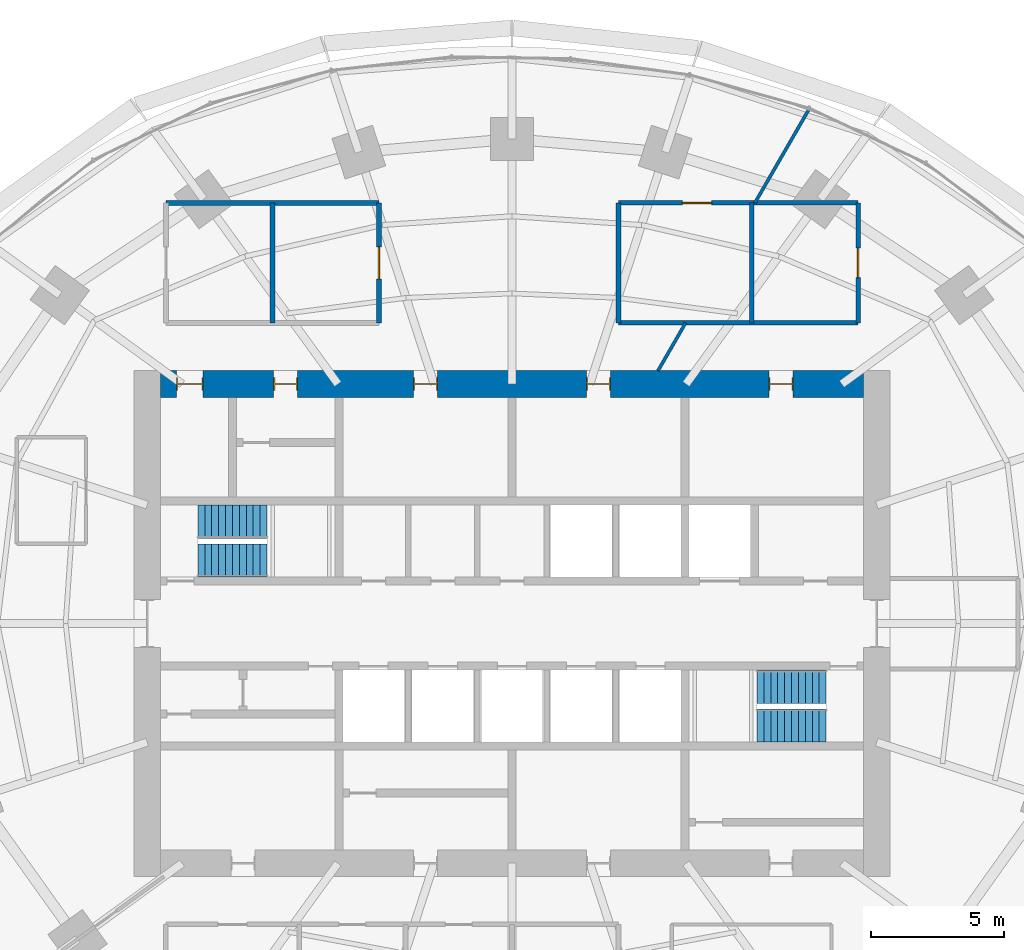
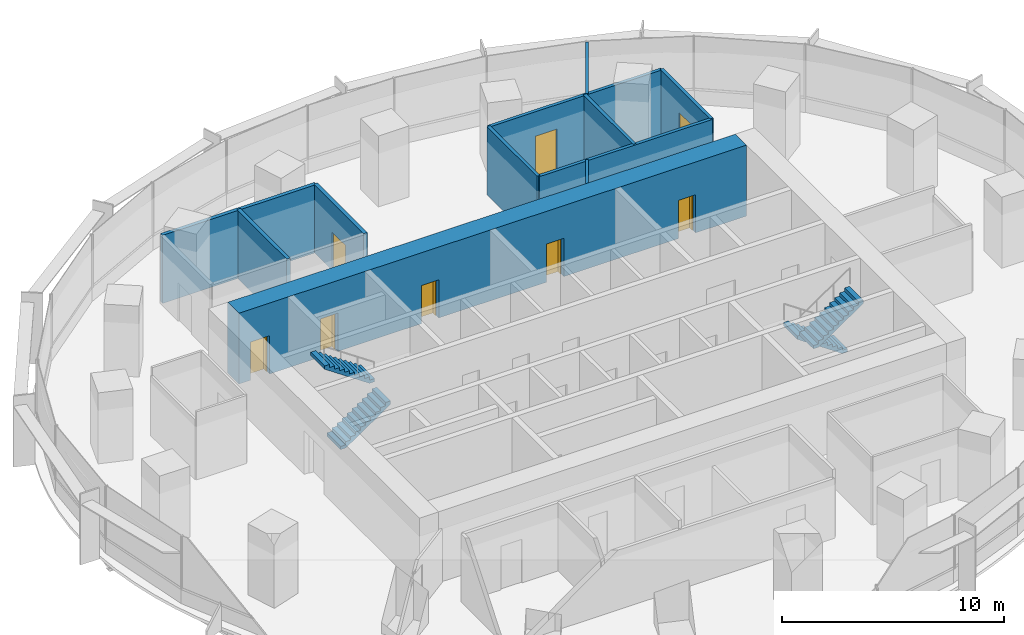
# One storey, part 12 of 14: 11 walls, 8 doors, 4 stair flights, 8 openings, 2 elements without a shape of their own.
"""IFC4 building model written with IfcOpenShell, lengths in metres."""

from ifc_helpers import new_model, si_unit, direction, frame, frame_2d, origin, place, context, subcontext, project, spatial, polyline, rectangle, outline, extrude, material, layer, layer_set, type_object, element, fill, aggregate, save


model = new_model("IFC4")

# Units and contexts
model_context = context("Model", 3, precision=1e-05, world=origin(), true_north=direction((0.0, 1.0)))
body_context = subcontext(model_context, "Body", "Model", "MODEL_VIEW")
ifc_project = project(units=[si_unit("LENGTHUNIT", "METRE"), si_unit("AREAUNIT", "SQUARE_METRE"), si_unit("VOLUMEUNIT", "CUBIC_METRE"), si_unit("PLANEANGLEUNIT", "RADIAN"), si_unit("MASSUNIT", "GRAM", prefix="KILO")], contexts=[model_context])

# Site, building, storey
site_placement = place(None, origin())
site = spatial("IfcSite", under=ifc_project, at=site_placement, CompositionType="ELEMENT")
building_placement = place(site_placement, origin())
building = spatial("IfcBuilding", under=site, at=building_placement, Name="Marramba Exchange Tower", CompositionType="ELEMENT")
storey_placement = place(building_placement, frame((0.0, 0.0, 143.10009765625)))
storey = spatial("IfcBuildingStorey", under=building, at=storey_placement, Name="L34", CompositionType="ELEMENT", Elevation=143.10009765625)

# Wall, opening, door
ifc_material_1 = material(Name="Plasterboard on staggered double steel studs, acoustic insulation", Category="steel")
ifc_layer_1 = layer(ifc_material_1, 0.169921875)
ifc_layer_set_1 = layer_set([ifc_layer_1], Name="Acoustic partition 170")
wall_type_1 = type_object("IfcWallType", Name="Acoustic partition 170", PredefinedType="PARTITIONING", material=ifc_layer_set_1)
wall_1_placement = place(storey_placement, frame((13.0, 11.300048828125, 0.0), z_axis=(0.0, 0.0, 1.0), x_axis=(0.0, 1.0, 0.0)))
wall_1 = element("IfcWall", 1, at=wall_1_placement, inside=storey, type_object=wall_type_1, Name="Acoustic partition L34 16", PredefinedType="PARTITIONING", context=body_context, shape_type="SweptSolid", body=[
    extrude(rectangle(XDim=4.5, YDim=0.169921875, at=frame_2d((2.25, 0.0))), origin(), (0.0, 0.0, 1.0), 3.739990234375),
])
opening_1_placement = place(wall_1_placement, frame((1.699951171875, 0.0, 0.0)))
opening_1 = element("IfcOpeningElement", 2, at=opening_1_placement, cuts=wall_1, Name="Opening D15", PredefinedType="OPENING", context=body_context, shape_type="SweptSolid", body=[
    extrude(rectangle(XDim=1.10009765625, YDim=2.39990234375, at=frame_2d((0.550048828125, 1.199951171875))), frame((0.0, 0.094970703125, 0.0), z_axis=(0.0, -1.0, 0.0), x_axis=(1.0, 0.0, 0.0)), (0.0, 0.0, 1.0), 0.18994140625),
])
ifc_material_2 = material(Name="Timber door", Category="wood")
door_type_1 = type_object("IfcDoorType", Name="Glazed meeting room door 1100x2400", OperationType="SINGLE_SWING_LEFT", PredefinedType="DOOR", material=ifc_material_2)
door_1_placement = place(opening_1_placement, origin())
door_1 = element("IfcDoor", 3, at=door_1_placement, inside=storey, type_object=door_type_1, Name="D15 Meeting Room 2 L34", OperationType="SINGLE_SWING_RIGHT", OverallHeight=2.39990234375, OverallWidth=1.10009765625, PredefinedType="DOOR", context=body_context, shape_type="SweptSolid", body=[
    extrude(rectangle(XDim=1.10009765625, YDim=2.39990234375, at=frame_2d((0.550048828125, 1.199951171875))), frame((0.0, 0.02490234375, 0.0), z_axis=(0.0, -1.0, 0.0), x_axis=(1.0, 0.0, 0.0)), (0.0, 0.0, 1.0), 0.050048828125),
])
fill(opening_1, door_1)

# Walls
wall_2_placement = place(storey_placement, frame((4.0, 11.300048828125, 0.0), z_axis=(0.0, 0.0, 1.0), x_axis=(1.0, 0.0, 0.0)))
element("IfcWall", 4, at=wall_2_placement, inside=storey, type_object=wall_type_1, Name="Acoustic partition L34 17", PredefinedType="PARTITIONING", context=body_context, shape_type="SweptSolid", body=[
    extrude(rectangle(XDim=9.0, YDim=0.169921875, at=frame_2d((4.5, 0.0))), origin(), (0.0, 0.0, 1.0), 3.739990234375),
])
wall_3_placement = place(storey_placement, frame((9.0, 15.800048828125, 0.0), z_axis=(0.0, 0.0, 1.0), x_axis=(0.0, -1.0, 0.0)))
element("IfcWall", 5, at=wall_3_placement, inside=storey, type_object=wall_type_1, Name="Acoustic partition L34 18", PredefinedType="PARTITIONING", context=body_context, shape_type="SweptSolid", body=[
    extrude(rectangle(XDim=4.5, YDim=0.169921875, at=frame_2d((2.25, 0.0))), origin(), (0.0, 0.0, 1.0), 3.739990234375),
])

# Wall, opening, door
wall_4_placement = place(storey_placement, frame((13.0, 15.800048828125, 0.0), z_axis=(0.0, 0.0, 1.0), x_axis=(-1.0, 0.0, 0.0)))
wall_4 = element("IfcWall", 6, at=wall_4_placement, inside=storey, type_object=wall_type_1, Name="Acoustic partition L34 21", PredefinedType="PARTITIONING", context=body_context, shape_type="SweptSolid", body=[
    extrude(rectangle(XDim=9.0, YDim=0.169921875, at=frame_2d((4.5, 0.0))), origin(), (0.0, 0.0, 1.0), 3.739990234375),
])
opening_2_placement = place(wall_4_placement, frame((5.5, 0.0, 0.0)))
opening_2 = element("IfcOpeningElement", 7, at=opening_2_placement, cuts=wall_4, Name="Opening D15", PredefinedType="OPENING", context=body_context, shape_type="SweptSolid", body=[
    extrude(rectangle(XDim=1.10009765625, YDim=2.39990234375, at=frame_2d((0.550048828125, 1.199951171875))), frame((0.0, 0.094970703125, 0.0), z_axis=(0.0, -1.0, 0.0), x_axis=(1.0, 0.0, 0.0)), (0.0, 0.0, 1.0), 0.18994140625),
])
door_2_placement = place(opening_2_placement, origin())
door_2 = element("IfcDoor", 8, at=door_2_placement, inside=storey, type_object=door_type_1, Name="D15 Meeting Room 1 L34", OperationType="SINGLE_SWING_LEFT", OverallHeight=2.39990234375, OverallWidth=1.10009765625, PredefinedType="DOOR", context=body_context, shape_type="SweptSolid", body=[
    extrude(rectangle(XDim=1.10009765625, YDim=2.39990234375, at=frame_2d((0.550048828125, 1.199951171875))), frame((0.0, 0.02490234375, 0.0), z_axis=(0.0, -1.0, 0.0), x_axis=(1.0, 0.0, 0.0)), (0.0, 0.0, 1.0), 0.050048828125),
])
fill(opening_2, door_2)

# Wall
wall_5_placement = place(storey_placement, frame((4.0, 15.800048828125, 0.0), z_axis=(0.0, 0.0, 1.0), x_axis=(0.0, -1.0, 0.0)))
element("IfcWall", 9, at=wall_5_placement, inside=storey, type_object=wall_type_1, Name="Acoustic partition L34 22", PredefinedType="PARTITIONING", context=body_context, shape_type="SweptSolid", body=[
    extrude(rectangle(XDim=4.5, YDim=0.169921875, at=frame_2d((2.25, 0.0))), origin(), (0.0, 0.0, 1.0), 3.739990234375),
])

# Wall, openings, doors
ifc_material_3 = material(Name="Concrete N50", Category="concrete")
ifc_layer_2 = layer(ifc_material_3, 1.0)
ifc_layer_set_2 = layer_set([ifc_layer_2], Name="Core wall 1000")
wall_type_2 = type_object("IfcWallType", Name="Core wall 1000", PredefinedType="SHEAR", material=ifc_layer_set_2)
wall_6_placement = place(storey_placement, frame((13.199951171875, 9.0, 0.0), z_axis=(0.0, 0.0, 1.0), x_axis=(-1.0, 0.0, 0.0)))
wall_6 = element("IfcWall", 10, at=wall_6_placement, inside=storey, type_object=wall_type_2, Name="Core wall N L34", PredefinedType="SHEAR", context=body_context, shape_type="SweptSolid", body=[
    extrude(rectangle(XDim=26.39990234375, YDim=1.0, at=frame_2d((13.199951171875, 0.0))), origin(), (0.0, 0.0, 1.0), 3.89990234375),
])
opening_3_placement = place(wall_6_placement, frame((2.64990234375, 0.0, 0.0)))
opening_3 = element("IfcOpeningElement", 11, at=opening_3_placement, cuts=wall_6, Name="Opening D5", PredefinedType="OPENING", context=body_context, shape_type="SweptSolid", body=[
    extrude(rectangle(XDim=0.89990234375, YDim=2.10009765625, at=frame_2d((0.449951171875, 1.050048828125))), frame((0.0, 0.510009765625, 0.0), z_axis=(0.0, -1.0, 0.0), x_axis=(1.0, 0.0, 0.0)), (0.0, 0.0, 1.0), 1.02001953125),
])
opening_4_placement = place(wall_6_placement, frame((9.5, 0.0, 0.0)))
opening_4 = element("IfcOpeningElement", 12, at=opening_4_placement, cuts=wall_6, Name="Opening D3", PredefinedType="OPENING", context=body_context, shape_type="SweptSolid", body=[
    extrude(rectangle(XDim=0.89990234375, YDim=2.10009765625, at=frame_2d((0.449951171875, 1.050048828125))), frame((0.0, 0.510009765625, 0.0), z_axis=(0.0, -1.0, 0.0), x_axis=(1.0, 0.0, 0.0)), (0.0, 0.0, 1.0), 1.02001953125),
])
opening_5_placement = place(wall_6_placement, frame((16.0, 0.0, 0.0)))
opening_5 = element("IfcOpeningElement", 13, at=opening_5_placement, cuts=wall_6, Name="Opening D3", PredefinedType="OPENING", context=body_context, shape_type="SweptSolid", body=[
    extrude(rectangle(XDim=0.89990234375, YDim=2.10009765625, at=frame_2d((0.449951171875, 1.050048828125))), frame((0.0, 0.510009765625, 0.0), z_axis=(0.0, -1.0, 0.0), x_axis=(1.0, 0.0, 0.0)), (0.0, 0.0, 1.0), 1.02001953125),
])
opening_6_placement = place(wall_6_placement, frame((21.25, 0.0, 0.0)))
opening_6 = element("IfcOpeningElement", 14, at=opening_6_placement, cuts=wall_6, Name="Opening D5", PredefinedType="OPENING", context=body_context, shape_type="SweptSolid", body=[
    extrude(rectangle(XDim=0.89990234375, YDim=2.10009765625, at=frame_2d((0.449951171875, 1.050048828125))), frame((0.0, 0.510009765625, 0.0), z_axis=(0.0, -1.0, 0.0), x_axis=(1.0, 0.0, 0.0)), (0.0, 0.0, 1.0), 1.02001953125),
])
opening_7_placement = place(wall_6_placement, frame((24.800048828125, 0.0, 0.0)))
opening_7 = element("IfcOpeningElement", 15, at=opening_7_placement, cuts=wall_6, Name="Opening D4", PredefinedType="OPENING", context=body_context, shape_type="SweptSolid", body=[
    extrude(rectangle(XDim=1.0, YDim=2.10009765625, at=frame_2d((0.5, 1.050048828125))), frame((0.0, 0.510009765625, 0.0), z_axis=(0.0, -1.0, 0.0), x_axis=(1.0, 0.0, 0.0)), (0.0, 0.0, 1.0), 1.02001953125),
])
ifc_material_4 = material(Name="Steel-framed door", Category="steel")
door_type_2 = type_object("IfcDoorType", Name="Accessible toilet door 1000x2100", OperationType="SINGLE_SWING_LEFT", PredefinedType="DOOR", material=ifc_material_4)
door_3_placement = place(opening_7_placement, origin())
door_3 = element("IfcDoor", 16, at=door_3_placement, inside=storey, type_object=door_type_2, Name="D4 awc L34", OperationType="SINGLE_SWING_RIGHT", OverallHeight=2.10009765625, OverallWidth=1.0, PredefinedType="DOOR", context=body_context, shape_type="SweptSolid", body=[
    extrude(rectangle(XDim=0.919921875, YDim=2.06005859375, at=frame_2d((0.5, 1.030029296875))), frame((0.0, 0.02490234375, 0.0), z_axis=(0.0, -1.0, 0.0), x_axis=(1.0, 0.0, 0.0)), (0.0, 0.0, 1.0), 0.050048828125),
    extrude(rectangle(XDim=0.04, YDim=2.10009765625, at=frame_2d((0.02001953125, 1.050048828125))), frame((0.0, 0.25, 0.0), z_axis=(0.0, -1.0, 0.0), x_axis=(1.0, 0.0, 0.0)), (0.0, 0.0, 1.0), 0.5),
    extrude(rectangle(XDim=0.04, YDim=2.10009765625, at=frame_2d((0.97998046875, 1.050048828125))), frame((0.0, 0.25, 0.0), z_axis=(0.0, -1.0, 0.0), x_axis=(1.0, 0.0, 0.0)), (0.0, 0.0, 1.0), 0.5),
    extrude(rectangle(XDim=0.919921875, YDim=0.04, at=frame_2d((0.5, 2.080078125))), frame((0.0, 0.25, 0.0), z_axis=(0.0, -1.0, 0.0), x_axis=(1.0, 0.0, 0.0)), (0.0, 0.0, 1.0), 0.5),
])
fill(opening_7, door_3)
door_type_3 = type_object("IfcDoorType", Name="Service door 900x2100", OperationType="SINGLE_SWING_LEFT", PredefinedType="DOOR", material=ifc_material_4)
door_4_placement = place(opening_3_placement, origin())
door_4 = element("IfcDoor", 17, at=door_4_placement, inside=storey, type_object=door_type_3, Name="D5 comms L34", OperationType="SINGLE_SWING_LEFT", OverallHeight=2.10009765625, OverallWidth=0.89990234375, PredefinedType="DOOR", context=body_context, shape_type="SweptSolid", body=[
    extrude(rectangle(XDim=0.81982421875, YDim=2.06005859375, at=frame_2d((0.449951171875, 1.030029296875))), frame((0.0, 0.02490234375, 0.0), z_axis=(0.0, -1.0, 0.0), x_axis=(1.0, 0.0, 0.0)), (0.0, 0.0, 1.0), 0.050048828125),
    extrude(rectangle(XDim=0.04, YDim=2.10009765625, at=frame_2d((0.02001953125, 1.050048828125))), frame((0.0, 0.25, 0.0), z_axis=(0.0, -1.0, 0.0), x_axis=(1.0, 0.0, 0.0)), (0.0, 0.0, 1.0), 0.5),
    extrude(rectangle(XDim=0.04, YDim=2.10009765625, at=frame_2d((0.8798828125, 1.050048828125))), frame((0.0, 0.25, 0.0), z_axis=(0.0, -1.0, 0.0), x_axis=(1.0, 0.0, 0.0)), (0.0, 0.0, 1.0), 0.5),
    extrude(rectangle(XDim=0.81982421875, YDim=0.04, at=frame_2d((0.449951171875, 2.080078125))), frame((0.0, 0.25, 0.0), z_axis=(0.0, -1.0, 0.0), x_axis=(1.0, 0.0, 0.0)), (0.0, 0.0, 1.0), 0.5),
])
fill(opening_3, door_4)
door_5_placement = place(opening_6_placement, origin())
door_5 = element("IfcDoor", 18, at=door_5_placement, inside=storey, type_object=door_type_3, Name="D5 cleaner L34", OperationType="SINGLE_SWING_RIGHT", OverallHeight=2.10009765625, OverallWidth=0.89990234375, PredefinedType="DOOR", context=body_context, shape_type="SweptSolid", body=[
    extrude(rectangle(XDim=0.81982421875, YDim=2.06005859375, at=frame_2d((0.449951171875, 1.030029296875))), frame((0.0, 0.02490234375, 0.0), z_axis=(0.0, -1.0, 0.0), x_axis=(1.0, 0.0, 0.0)), (0.0, 0.0, 1.0), 0.050048828125),
    extrude(rectangle(XDim=0.04, YDim=2.10009765625, at=frame_2d((0.02001953125, 1.050048828125))), frame((0.0, 0.25, 0.0), z_axis=(0.0, -1.0, 0.0), x_axis=(1.0, 0.0, 0.0)), (0.0, 0.0, 1.0), 0.5),
    extrude(rectangle(XDim=0.04, YDim=2.10009765625, at=frame_2d((0.8798828125, 1.050048828125))), frame((0.0, 0.25, 0.0), z_axis=(0.0, -1.0, 0.0), x_axis=(1.0, 0.0, 0.0)), (0.0, 0.0, 1.0), 0.5),
    extrude(rectangle(XDim=0.81982421875, YDim=0.04, at=frame_2d((0.449951171875, 2.080078125))), frame((0.0, 0.25, 0.0), z_axis=(0.0, -1.0, 0.0), x_axis=(1.0, 0.0, 0.0)), (0.0, 0.0, 1.0), 0.5),
])
fill(opening_6, door_5)
door_type_4 = type_object("IfcDoorType", Name="Toilet door 900x2100", OperationType="SINGLE_SWING_LEFT", PredefinedType="DOOR", material=ifc_material_4)
door_6_placement = place(opening_4_placement, origin())
door_6 = element("IfcDoor", 19, at=door_6_placement, inside=storey, type_object=door_type_4, Name="D3 wc-f L34", OperationType="SINGLE_SWING_RIGHT", OverallHeight=2.10009765625, OverallWidth=0.89990234375, PredefinedType="DOOR", context=body_context, shape_type="SweptSolid", body=[
    extrude(rectangle(XDim=0.81982421875, YDim=2.06005859375, at=frame_2d((0.449951171875, 1.030029296875))), frame((0.0, 0.02490234375, 0.0), z_axis=(0.0, -1.0, 0.0), x_axis=(1.0, 0.0, 0.0)), (0.0, 0.0, 1.0), 0.050048828125),
    extrude(rectangle(XDim=0.04, YDim=2.10009765625, at=frame_2d((0.02001953125, 1.050048828125))), frame((0.0, 0.25, 0.0), z_axis=(0.0, -1.0, 0.0), x_axis=(1.0, 0.0, 0.0)), (0.0, 0.0, 1.0), 0.5),
    extrude(rectangle(XDim=0.04, YDim=2.10009765625, at=frame_2d((0.8798828125, 1.050048828125))), frame((0.0, 0.25, 0.0), z_axis=(0.0, -1.0, 0.0), x_axis=(1.0, 0.0, 0.0)), (0.0, 0.0, 1.0), 0.5),
    extrude(rectangle(XDim=0.81982421875, YDim=0.04, at=frame_2d((0.449951171875, 2.080078125))), frame((0.0, 0.25, 0.0), z_axis=(0.0, -1.0, 0.0), x_axis=(1.0, 0.0, 0.0)), (0.0, 0.0, 1.0), 0.5),
])
fill(opening_4, door_6)
door_7_placement = place(opening_5_placement, origin())
door_7 = element("IfcDoor", 20, at=door_7_placement, inside=storey, type_object=door_type_4, Name="D3 wc-m L34", OperationType="SINGLE_SWING_RIGHT", OverallHeight=2.10009765625, OverallWidth=0.89990234375, PredefinedType="DOOR", context=body_context, shape_type="SweptSolid", body=[
    extrude(rectangle(XDim=0.81982421875, YDim=2.06005859375, at=frame_2d((0.449951171875, 1.030029296875))), frame((0.0, 0.02490234375, 0.0), z_axis=(0.0, -1.0, 0.0), x_axis=(1.0, 0.0, 0.0)), (0.0, 0.0, 1.0), 0.050048828125),
    extrude(rectangle(XDim=0.04, YDim=2.10009765625, at=frame_2d((0.02001953125, 1.050048828125))), frame((0.0, 0.25, 0.0), z_axis=(0.0, -1.0, 0.0), x_axis=(1.0, 0.0, 0.0)), (0.0, 0.0, 1.0), 0.5),
    extrude(rectangle(XDim=0.04, YDim=2.10009765625, at=frame_2d((0.8798828125, 1.050048828125))), frame((0.0, 0.25, 0.0), z_axis=(0.0, -1.0, 0.0), x_axis=(1.0, 0.0, 0.0)), (0.0, 0.0, 1.0), 0.5),
    extrude(rectangle(XDim=0.81982421875, YDim=0.04, at=frame_2d((0.449951171875, 2.080078125))), frame((0.0, 0.25, 0.0), z_axis=(0.0, -1.0, 0.0), x_axis=(1.0, 0.0, 0.0)), (0.0, 0.0, 1.0), 0.5),
])
fill(opening_5, door_7)

# Wall, opening, door
ifc_material_5 = material(Name="Core-filled concrete blockwork, rendered", Category="masonry")
ifc_layer_3 = layer(ifc_material_5, 0.18994140625)
ifc_layer_set_3 = layer_set([ifc_layer_3], Name="Equipment room wall 190")
wall_type_3 = type_object("IfcWallType", Name="Equipment room wall 190", PredefinedType="SOLIDWALL", material=ifc_layer_set_3)
wall_7_placement = place(storey_placement, frame((-5.0, 15.800048828125, 0.0), z_axis=(0.0, 0.0, 1.0), x_axis=(0.0, -1.0, 0.0)))
wall_7 = element("IfcWall", 21, at=wall_7_placement, inside=storey, type_object=wall_type_3, Name="Equipment room wall L34 23", PredefinedType="SOLIDWALL", context=body_context, shape_type="SweptSolid", body=[
    extrude(rectangle(XDim=4.5, YDim=0.18994140625, at=frame_2d((2.25, 0.0))), origin(), (0.0, 0.0, 1.0), 3.739990234375),
])
opening_8_placement = place(wall_7_placement, frame((1.64990234375, 0.0, 0.0)))
opening_8 = element("IfcOpeningElement", 22, at=opening_8_placement, cuts=wall_7, Name="Opening D16", PredefinedType="OPENING", context=body_context, shape_type="SweptSolid", body=[
    extrude(rectangle(XDim=1.199951171875, YDim=2.10009765625, at=frame_2d((0.60009765625, 1.050048828125))), frame((0.0, 0.10498046875, 0.0), z_axis=(0.0, -1.0, 0.0), x_axis=(1.0, 0.0, 0.0)), (0.0, 0.0, 1.0), 0.2099609375),
])
door_type_5 = type_object("IfcDoorType", Name="Equipment room door 1200x2100", OperationType="SINGLE_SWING_LEFT", PredefinedType="DOOR", material=ifc_material_4)
door_8_placement = place(opening_8_placement, frame((1.199951171875, 0.0, 0.0), z_axis=(0.0, 0.0, 1.0), x_axis=(-1.0, 0.0, 0.0)))
door_8 = element("IfcDoor", 23, at=door_8_placement, inside=storey, type_object=door_type_5, Name="D16 Data Room 2 L34", OperationType="SINGLE_SWING_RIGHT", OverallHeight=2.10009765625, OverallWidth=1.199951171875, PredefinedType="DOOR", context=body_context, shape_type="SweptSolid", body=[
    extrude(rectangle(XDim=1.199951171875, YDim=2.10009765625, at=frame_2d((0.599853515625, 1.050048828125))), frame((0.0, 0.025146484375, 0.0), z_axis=(0.0, -1.0, 0.0), x_axis=(1.0, 0.0, 0.0)), (0.0, 0.0, 1.0), 0.050048828125),
])
fill(opening_8, door_8)

# Walls
wall_8_placement = place(storey_placement, frame((-13.0, 15.800048828125, 0.0), z_axis=(0.0, 0.0, 1.0), x_axis=(1.0, 0.0, 0.0)))
element("IfcWall", 24, at=wall_8_placement, inside=storey, type_object=wall_type_3, Name="Equipment room wall L34 24", PredefinedType="SOLIDWALL", context=body_context, shape_type="SweptSolid", body=[
    extrude(rectangle(XDim=8.0, YDim=0.18994140625, at=frame_2d((4.0, 0.0))), origin(), (0.0, 0.0, 1.0), 3.739990234375),
])
wall_9_placement = place(storey_placement, frame((-9.0, 15.800048828125, 0.0), z_axis=(0.0, 0.0, 1.0), x_axis=(0.0, -1.0, 0.0)))
element("IfcWall", 25, at=wall_9_placement, inside=storey, type_object=wall_type_3, Name="Equipment room wall L34 25", PredefinedType="SOLIDWALL", context=body_context, shape_type="SweptSolid", body=[
    extrude(rectangle(XDim=4.5, YDim=0.18994140625, at=frame_2d((2.25, 0.0))), origin(), (0.0, 0.0, 1.0), 3.739990234375),
])
ifc_material_6 = material(Name="Plasterboard on steel studs", Category="steel")
ifc_layer_4 = layer(ifc_material_6, 0.1201171875)
ifc_layer_set_4 = layer_set([ifc_layer_4], Name="Partition 120")
wall_type_4 = type_object("IfcWallType", Name="Partition 120", PredefinedType="PARTITIONING", material=ifc_layer_set_4)
wall_10_placement = place(storey_placement, frame((11.13671875, 19.289306640625, 0.0), z_axis=(0.0, 0.0, 1.0), x_axis=(-0.500023174947, -0.866012023309, 0.0)))
element("IfcWall", 26, at=wall_10_placement, inside=storey, type_object=wall_type_4, Name="Partition L34 19", PredefinedType="PARTITIONING", context=body_context, shape_type="SweptSolid", body=[
    extrude(rectangle(XDim=4.029052734375, YDim=0.1201171875, at=frame_2d((2.0146484375, 0.0))), origin(), (0.0, 0.0, 1.0), 3.739990234375),
])
wall_11_placement = place(storey_placement, frame((6.52392578125, 11.300048828125, 0.0), z_axis=(0.0, 0.0, 1.0), x_axis=(-0.499929208183, -0.866066271601, 0.0)))
element("IfcWall", 27, at=wall_11_placement, inside=storey, type_object=wall_type_4, Name="Partition L34 20", PredefinedType="PARTITIONING", context=body_context, shape_type="SweptSolid", body=[
    extrude(rectangle(XDim=2.078369140625, YDim=0.1201171875, at=frame_2d((1.0390625, 0.0))), origin(), (0.0, 0.0, 1.0), 3.739990234375),
])

# Stair, stair flights
ifc_material_7 = material(Name="Concrete N40 (40 MPa)", Category="concrete")
stair_type_1 = type_object("IfcStairType", Name="Exit stair ST1 3900 x 1250", PredefinedType="HALF_TURN_STAIR", material=ifc_material_7)
stair_1_placement = place(storey_placement, origin())
stair_1 = element("IfcStair", 28, at=stair_1_placement, inside=storey, type_object=stair_type_1, Name="Exit stair ST1 L34", PredefinedType="HALF_TURN_STAIR")
stair_flight_type_1 = type_object("IfcStairFlightType", Name="ST1 stair flight 1773 riser 1250 wide", PredefinedType="STRAIGHT", material=ifc_material_7)
stair_flight_1_placement = place(storey_placement, frame((-11.800048828125, 2.375, 0.0), z_axis=(0.0, 0.0, 1.0), x_axis=(1.0, 0.0, 0.0)))
stair_flight_1 = element("IfcStairFlight", 29, at=stair_flight_1_placement, type_object=stair_flight_type_1, Name="ST1 flight 1", NumberOfRisers=11, NumberOfTreads=10, PredefinedType="STRAIGHT", RiserHeight=0.177272727, TreadLength=0.26, context=body_context, shape_type="SweptSolid", body=[
    extrude(outline(polyline([(0.0, 0.0), (0.0, 0.17724609375), (0.260009765625, 0.17724609375), (0.260009765625, 0.3544921875), (0.52001953125, 0.3544921875), (0.52001953125, 0.53173828125), (0.780029296875, 0.53173828125), (0.780029296875, 0.708984375), (1.0400390625, 0.708984375), (1.0400390625, 0.886474609375), (1.300048828125, 0.886474609375), (1.300048828125, 1.063720703125), (1.56005859375, 1.063720703125), (1.56005859375, 1.240966796875), (1.820068359375, 1.240966796875), (1.820068359375, 1.418212890625), (2.080078125, 1.418212890625), (2.080078125, 1.595458984375), (2.340087890625, 1.595458984375), (2.340087890625, 1.772705078125), (2.60009765625, 1.772705078125), (2.60009765625, 1.949951171875), (2.60009765625, 1.59130859375), (0.26611328125, 0.0), (0.0, 0.0)])), frame((0.0, 0.625, 0.0), z_axis=(0.0, -1.0, 0.0), x_axis=(1.0, 0.0, 0.0)), (0.0, 0.0, 1.0), 1.25),
])
stair_flight_2_placement = place(storey_placement, frame((-9.199951171875, 3.824951171875, 1.949951171875), z_axis=(0.0, 0.0, 1.0), x_axis=(-1.0, 0.0, 0.0)))
stair_flight_2 = element("IfcStairFlight", 30, at=stair_flight_2_placement, type_object=stair_flight_type_1, Name="ST1 flight 2", NumberOfRisers=11, NumberOfTreads=10, PredefinedType="STRAIGHT", RiserHeight=0.177272727, TreadLength=0.26, context=body_context, shape_type="SweptSolid", body=[
    extrude(outline(polyline([(0.0, 0.0), (0.0, 0.17724609375), (0.260009765625, 0.17724609375), (0.260009765625, 0.3544921875), (0.52001953125, 0.3544921875), (0.52001953125, 0.53173828125), (0.780029296875, 0.53173828125), (0.780029296875, 0.708984375), (1.0400390625, 0.708984375), (1.0400390625, 0.886474609375), (1.300048828125, 0.886474609375), (1.300048828125, 1.063720703125), (1.56005859375, 1.063720703125), (1.56005859375, 1.240966796875), (1.820068359375, 1.240966796875), (1.820068359375, 1.418212890625), (2.080078125, 1.418212890625), (2.080078125, 1.595458984375), (2.340087890625, 1.595458984375), (2.340087890625, 1.772705078125), (2.60009765625, 1.772705078125), (2.60009765625, 1.949951171875), (2.60009765625, 1.59130859375), (0.26611328125, 0.0), (0.0, 0.0)])), frame((0.0, 0.625, 0.0), z_axis=(0.0, -1.0, 0.0), x_axis=(1.0, 0.0, 0.0)), (0.0, 0.0, 1.0), 1.25),
])
aggregate(stair_1, [stair_flight_1, stair_flight_2])

stair_type_2 = type_object("IfcStairType", Name="Exit stair ST2 3900 x 1250", PredefinedType="HALF_TURN_STAIR", material=ifc_material_7)
stair_2_placement = place(storey_placement, origin())
stair_2 = element("IfcStair", 31, at=stair_2_placement, inside=storey, type_object=stair_type_2, Name="Exit stair ST2 L34", PredefinedType="HALF_TURN_STAIR")
stair_flight_type_2 = type_object("IfcStairFlightType", Name="ST2 stair flight 1773 riser 1250 wide", PredefinedType="STRAIGHT", material=ifc_material_7)
stair_flight_3_placement = place(storey_placement, frame((11.800048828125, -2.375, 0.0), z_axis=(0.0, 0.0, 1.0), x_axis=(-1.0, 0.0, 0.0)))
stair_flight_3 = element("IfcStairFlight", 32, at=stair_flight_3_placement, type_object=stair_flight_type_2, Name="ST2 flight 1", NumberOfRisers=11, NumberOfTreads=10, PredefinedType="STRAIGHT", RiserHeight=0.177272727, TreadLength=0.26, context=body_context, shape_type="SweptSolid", body=[
    extrude(outline(polyline([(0.0, 0.0), (0.0, 0.17724609375), (0.260009765625, 0.17724609375), (0.260009765625, 0.3544921875), (0.52001953125, 0.3544921875), (0.52001953125, 0.53173828125), (0.780029296875, 0.53173828125), (0.780029296875, 0.708984375), (1.0400390625, 0.708984375), (1.0400390625, 0.886474609375), (1.300048828125, 0.886474609375), (1.300048828125, 1.063720703125), (1.56005859375, 1.063720703125), (1.56005859375, 1.240966796875), (1.820068359375, 1.240966796875), (1.820068359375, 1.418212890625), (2.080078125, 1.418212890625), (2.080078125, 1.595458984375), (2.340087890625, 1.595458984375), (2.340087890625, 1.772705078125), (2.60009765625, 1.772705078125), (2.60009765625, 1.949951171875), (2.60009765625, 1.59130859375), (0.26611328125, 0.0), (0.0, 0.0)])), frame((0.0, 0.625, 0.0), z_axis=(0.0, -1.0, 0.0), x_axis=(1.0, 0.0, 0.0)), (0.0, 0.0, 1.0), 1.25),
])
stair_flight_4_placement = place(storey_placement, frame((9.199951171875, -3.824951171875, 1.949951171875), z_axis=(0.0, 0.0, 1.0), x_axis=(1.0, 0.0, 0.0)))
stair_flight_4 = element("IfcStairFlight", 33, at=stair_flight_4_placement, type_object=stair_flight_type_2, Name="ST2 flight 2", NumberOfRisers=11, NumberOfTreads=10, PredefinedType="STRAIGHT", RiserHeight=0.177272727, TreadLength=0.26, context=body_context, shape_type="SweptSolid", body=[
    extrude(outline(polyline([(0.0, 0.0), (0.0, 0.17724609375), (0.260009765625, 0.17724609375), (0.260009765625, 0.3544921875), (0.52001953125, 0.3544921875), (0.52001953125, 0.53173828125), (0.780029296875, 0.53173828125), (0.780029296875, 0.708984375), (1.0400390625, 0.708984375), (1.0400390625, 0.886474609375), (1.300048828125, 0.886474609375), (1.300048828125, 1.063720703125), (1.56005859375, 1.063720703125), (1.56005859375, 1.240966796875), (1.820068359375, 1.240966796875), (1.820068359375, 1.418212890625), (2.080078125, 1.418212890625), (2.080078125, 1.595458984375), (2.340087890625, 1.595458984375), (2.340087890625, 1.772705078125), (2.60009765625, 1.772705078125), (2.60009765625, 1.949951171875), (2.60009765625, 1.59130859375), (0.26611328125, 0.0), (0.0, 0.0)])), frame((0.0, 0.625, 0.0), z_axis=(0.0, -1.0, 0.0), x_axis=(1.0, 0.0, 0.0)), (0.0, 0.0, 1.0), 1.25),
])
aggregate(stair_2, [stair_flight_3, stair_flight_4])

save(model, "model.ifc")
